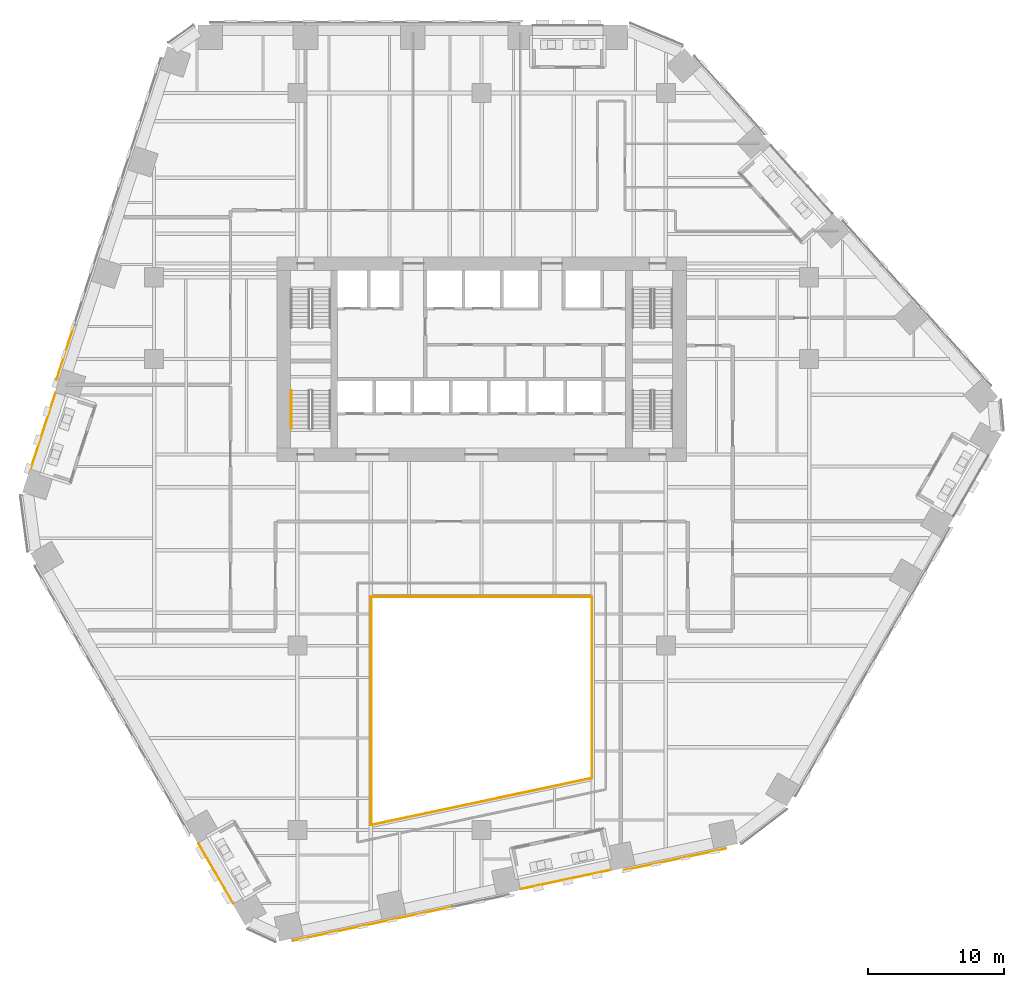
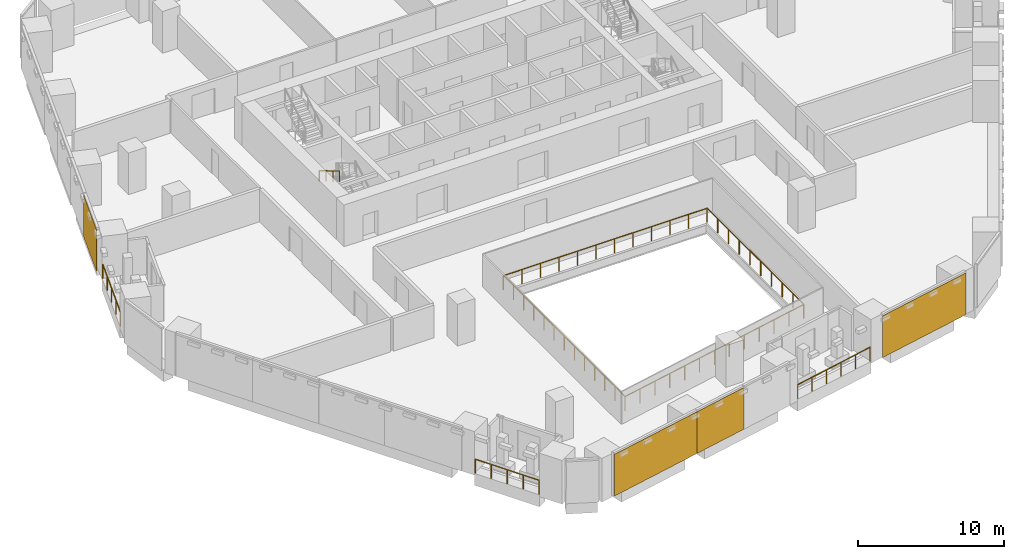
# One storey, part 27 of 31: 8 railings, 4 coverings, 2 elements without a shape of their own.
"""IFC4 building model written with IfcOpenShell, lengths in metres."""

from ifc_helpers import new_model, si_unit, direction, frame, origin, origin_2d, place, context, subcontext, project, spatial, rectangle, circle, extrude, material, layer, layer_set, type_object, element, aggregate, save


model = new_model("IFC4")

# Units and contexts
model_context = context("Model", 3, precision=1e-05, world=origin(), true_north=direction((0.0, 1.0)))
body_context = subcontext(model_context, "Body", "Model", "MODEL_VIEW")
ifc_project = project(units=[si_unit("LENGTHUNIT", "METRE"), si_unit("AREAUNIT", "SQUARE_METRE"), si_unit("VOLUMEUNIT", "CUBIC_METRE"), si_unit("PLANEANGLEUNIT", "RADIAN"), si_unit("MASSUNIT", "GRAM", prefix="KILO")], contexts=[model_context])

# Site, building, storey
site_placement = place(None, origin())
site = spatial("IfcSite", under=ifc_project, at=site_placement, CompositionType="ELEMENT")
building_placement = place(site_placement, origin())
building = spatial("IfcBuilding", under=site, at=building_placement, Name="Isthmus Gate Tower", CompositionType="ELEMENT")
storey_placement = place(building_placement, frame((0.0, 0.0, 39.64990234375)))
storey = spatial("IfcBuildingStorey", under=building, at=storey_placement, Name="L07", CompositionType="ELEMENT", Elevation=39.64990234375)

# Railings
ifc_material_1 = material(Name="Laminated toughened glass balustrade with steel rail", Category="steel")
railing_type_1 = type_object("IfcRailingType", Name="ATRIUM GUARD GLASS BALUSTRADE 1200", PredefinedType="GUARDRAIL", material=ifc_material_1)
railing_1_placement = place(storey_placement, frame((-8.080078125, -26.642822265625, 0.0)))
element("IfcRailing", 1, at=railing_1_placement, inside=storey, type_object=railing_type_1, Name="L07 atrium guard", PredefinedType="GUARDRAIL", context=body_context, shape_type="SweptSolid", body=[
    extrude(circle(Radius=0.02490234375, at=origin_2d()), frame((0.0, 0.0, 1.1748046875), z_axis=(0.0, 1.0, 0.0), x_axis=(-1.0, 0.0, 0.0)), (0.0, 0.0, 1.0), 16.722900390625),
    extrude(circle(Radius=0.02490234375, at=origin_2d()), origin(), (0.0, 0.0, 1.0), 1.14990234375),
    extrude(circle(Radius=0.02490234375, at=origin_2d()), frame((0.0, 1.3935546875, 0.0)), (0.0, 0.0, 1.0), 1.14990234375),
    extrude(circle(Radius=0.02490234375, at=origin_2d()), frame((0.0, 2.787109375, 0.0)), (0.0, 0.0, 1.0), 1.14990234375),
    extrude(circle(Radius=0.02490234375, at=origin_2d()), frame((0.0, 4.1806640625, 0.0)), (0.0, 0.0, 1.0), 1.14990234375),
    extrude(circle(Radius=0.02490234375, at=origin_2d()), frame((0.0, 5.57421875, 0.0)), (0.0, 0.0, 1.0), 1.14990234375),
    extrude(circle(Radius=0.02490234375, at=origin_2d()), frame((0.0, 6.9677734375, 0.0)), (0.0, 0.0, 1.0), 1.14990234375),
    extrude(circle(Radius=0.02490234375, at=origin_2d()), frame((0.0, 8.361328125, 0.0)), (0.0, 0.0, 1.0), 1.14990234375),
    extrude(circle(Radius=0.02490234375, at=origin_2d()), frame((0.0, 9.755126953125, 0.0)), (0.0, 0.0, 1.0), 1.14990234375),
    extrude(circle(Radius=0.02490234375, at=origin_2d()), frame((0.0, 11.148681640625, 0.0)), (0.0, 0.0, 1.0), 1.14990234375),
    extrude(circle(Radius=0.02490234375, at=origin_2d()), frame((0.0, 12.542236328125, 0.0)), (0.0, 0.0, 1.0), 1.14990234375),
    extrude(circle(Radius=0.02490234375, at=origin_2d()), frame((0.0, 13.935791015625, 0.0)), (0.0, 0.0, 1.0), 1.14990234375),
    extrude(circle(Radius=0.02490234375, at=origin_2d()), frame((0.0, 15.329345703125, 0.0)), (0.0, 0.0, 1.0), 1.14990234375),
    extrude(circle(Radius=0.02490234375, at=origin_2d()), frame((0.0, 16.722900390625, 0.0)), (0.0, 0.0, 1.0), 1.14990234375),
])
railing_2_placement = place(storey_placement, frame((-8.080078125, -9.919921875, 0.0)))
element("IfcRailing", 2, at=railing_2_placement, inside=storey, type_object=railing_type_1, Name="L07 atrium guard", PredefinedType="GUARDRAIL", context=body_context, shape_type="SweptSolid", body=[
    extrude(circle(Radius=0.02490234375, at=origin_2d()), frame((0.0, 0.0, 1.1748046875), z_axis=(1.0, 0.0, 0.0), x_axis=(0.0, 1.0, 0.0)), (0.0, 0.0, 1.0), 16.16015625),
    extrude(circle(Radius=0.02490234375, at=origin_2d()), origin(), (0.0, 0.0, 1.0), 1.14990234375),
    extrude(circle(Radius=0.02490234375, at=origin_2d()), frame((1.468994140625, 0.0, 0.0)), (0.0, 0.0, 1.0), 1.14990234375),
    extrude(circle(Radius=0.02490234375, at=origin_2d()), frame((2.938232421875, 0.0, 0.0)), (0.0, 0.0, 1.0), 1.14990234375),
    extrude(circle(Radius=0.02490234375, at=origin_2d()), frame((4.4072265625, 0.0, 0.0)), (0.0, 0.0, 1.0), 1.14990234375),
    extrude(circle(Radius=0.02490234375, at=origin_2d()), frame((5.87646484375, 0.0, 0.0)), (0.0, 0.0, 1.0), 1.14990234375),
    extrude(circle(Radius=0.02490234375, at=origin_2d()), frame((7.345458984375, 0.0, 0.0)), (0.0, 0.0, 1.0), 1.14990234375),
    extrude(circle(Radius=0.02490234375, at=origin_2d()), frame((8.814697265625, 0.0, 0.0)), (0.0, 0.0, 1.0), 1.14990234375),
    extrude(circle(Radius=0.02490234375, at=origin_2d()), frame((10.28369140625, 0.0, 0.0)), (0.0, 0.0, 1.0), 1.14990234375),
    extrude(circle(Radius=0.02490234375, at=origin_2d()), frame((11.7529296875, 0.0, 0.0)), (0.0, 0.0, 1.0), 1.14990234375),
    extrude(circle(Radius=0.02490234375, at=origin_2d()), frame((13.221923828125, 0.0, 0.0)), (0.0, 0.0, 1.0), 1.14990234375),
    extrude(circle(Radius=0.02490234375, at=origin_2d()), frame((14.691162109375, 0.0, 0.0)), (0.0, 0.0, 1.0), 1.14990234375),
    extrude(circle(Radius=0.02490234375, at=origin_2d()), frame((16.16015625, 0.0, 0.0)), (0.0, 0.0, 1.0), 1.14990234375),
])
railing_3_placement = place(storey_placement, frame((8.080078125, -9.919921875, 0.0)))
element("IfcRailing", 3, at=railing_3_placement, inside=storey, type_object=railing_type_1, Name="L07 atrium guard", PredefinedType="GUARDRAIL", context=body_context, shape_type="SweptSolid", body=[
    extrude(circle(Radius=0.02490234375, at=origin_2d()), frame((0.0, 0.0, 1.1748046875), z_axis=(0.0, -1.0, 0.0), x_axis=(1.0, 0.0, 0.0)), (0.0, 0.0, 1.0), 13.2880859375),
    extrude(circle(Radius=0.02490234375, at=origin_2d()), origin(), (0.0, 0.0, 1.0), 1.14990234375),
    extrude(circle(Radius=0.02490234375, at=origin_2d()), frame((0.0, -1.4765625, 0.0)), (0.0, 0.0, 1.0), 1.14990234375),
    extrude(circle(Radius=0.02490234375, at=origin_2d()), frame((0.0, -2.952880859375, 0.0)), (0.0, 0.0, 1.0), 1.14990234375),
    extrude(circle(Radius=0.02490234375, at=origin_2d()), frame((0.0, -4.429443359375, 0.0)), (0.0, 0.0, 1.0), 1.14990234375),
    extrude(circle(Radius=0.02490234375, at=origin_2d()), frame((0.0, -5.90576171875, 0.0)), (0.0, 0.0, 1.0), 1.14990234375),
    extrude(circle(Radius=0.02490234375, at=origin_2d()), frame((0.0, -7.38232421875, 0.0)), (0.0, 0.0, 1.0), 1.14990234375),
    extrude(circle(Radius=0.02490234375, at=origin_2d()), frame((0.0, -8.858642578125, 0.0)), (0.0, 0.0, 1.0), 1.14990234375),
    extrude(circle(Radius=0.02490234375, at=origin_2d()), frame((0.0, -10.335205078125, 0.0)), (0.0, 0.0, 1.0), 1.14990234375),
    extrude(circle(Radius=0.02490234375, at=origin_2d()), frame((0.0, -11.8115234375, 0.0)), (0.0, 0.0, 1.0), 1.14990234375),
    extrude(circle(Radius=0.02490234375, at=origin_2d()), frame((0.0, -13.2880859375, 0.0)), (0.0, 0.0, 1.0), 1.14990234375),
])
railing_4_placement = place(storey_placement, frame((8.080078125, -23.2080078125, 0.0)))
element("IfcRailing", 4, at=railing_4_placement, inside=storey, type_object=railing_type_1, Name="L07 atrium guard", PredefinedType="GUARDRAIL", context=body_context, shape_type="SweptSolid", body=[
    extrude(circle(Radius=0.02490234375, at=origin_2d()), frame((0.0, 0.0, 1.1748046875), z_axis=(-0.978149235358, -0.207904000366, 0.0), x_axis=(0.207904000366, -0.978149235358, 0.0)), (0.0, 0.0, 1.0), 16.521240234375),
    extrude(circle(Radius=0.02490234375, at=origin_2d()), origin(), (0.0, 0.0, 1.0), 1.14990234375),
    extrude(circle(Radius=0.02490234375, at=origin_2d()), frame((-1.3466796875, -0.2861328125, 0.0)), (0.0, 0.0, 1.0), 1.14990234375),
    extrude(circle(Radius=0.02490234375, at=origin_2d()), frame((-2.693359375, -0.572509765625, 0.0)), (0.0, 0.0, 1.0), 1.14990234375),
    extrude(circle(Radius=0.02490234375, at=origin_2d()), frame((-4.0400390625, -0.858642578125, 0.0)), (0.0, 0.0, 1.0), 1.14990234375),
    extrude(circle(Radius=0.02490234375, at=origin_2d()), frame((-5.38671875, -1.14501953125, 0.0)), (0.0, 0.0, 1.0), 1.14990234375),
    extrude(circle(Radius=0.02490234375, at=origin_2d()), frame((-6.7333984375, -1.43115234375, 0.0)), (0.0, 0.0, 1.0), 1.14990234375),
    extrude(circle(Radius=0.02490234375, at=origin_2d()), frame((-8.080078125, -1.71728515625, 0.0)), (0.0, 0.0, 1.0), 1.14990234375),
    extrude(circle(Radius=0.02490234375, at=origin_2d()), frame((-9.4267578125, -2.003662109375, 0.0)), (0.0, 0.0, 1.0), 1.14990234375),
    extrude(circle(Radius=0.02490234375, at=origin_2d()), frame((-10.7734375, -2.289794921875, 0.0)), (0.0, 0.0, 1.0), 1.14990234375),
    extrude(circle(Radius=0.02490234375, at=origin_2d()), frame((-12.1201171875, -2.576171875, 0.0)), (0.0, 0.0, 1.0), 1.14990234375),
    extrude(circle(Radius=0.02490234375, at=origin_2d()), frame((-13.466796875, -2.8623046875, 0.0)), (0.0, 0.0, 1.0), 1.14990234375),
    extrude(circle(Radius=0.02490234375, at=origin_2d()), frame((-14.8134765625, -3.148681640625, 0.0)), (0.0, 0.0, 1.0), 1.14990234375),
    extrude(circle(Radius=0.02490234375, at=origin_2d()), frame((-16.16015625, -3.434814453125, 0.0)), (0.0, 0.0, 1.0), 1.14990234375),
])

# Curtain wall, covering
ifc_material_2 = material(Name="Aluminium, pale champagne anodised", Category="aluminium")
ifc_layer_1 = layer(ifc_material_2, 0.199951171875)
ifc_layer_set_1 = layer_set([ifc_layer_1], Name="CW-1 UNITISED CURTAIN WALL 200 DEEP")
curtain_wall_type = type_object("IfcCurtainWallType", Name="CW-1 UNITISED CURTAIN WALL 200 DEEP", PredefinedType="NOTDEFINED", material=ifc_layer_set_1)
curtain_wall_1_placement = place(storey_placement, origin())
curtain_wall_1 = element("IfcCurtainWall", 5, at=curtain_wall_1_placement, inside=storey, type_object=curtain_wall_type, Name="CW-1 NW L07", PredefinedType="NOTDEFINED")
ifc_material_3 = material(Name="Aluminium composite panel, pale champagne anodised", Category="aluminium")
ifc_layer_2 = layer(ifc_material_3, 0.0400390625)
ifc_layer_set_2 = layer_set([ifc_layer_2], Name="CW-1 PALE METAL PANEL 40")
covering_type = type_object("IfcCoveringType", Name="CW-1 PALE METAL PANEL 40", PredefinedType="CLADDING", material=ifc_layer_set_2)
covering_1_placement = place(storey_placement, frame((-30.5087890625, 7.9775390625, 0.0), z_axis=(0.0, 0.0, 1.0), x_axis=(-0.309016994375, -0.951056516295, 0.0)))
covering_1 = element("IfcCovering", 6, at=covering_1_placement, type_object=covering_type, Name="CW-1 pale metal panel", PredefinedType="CLADDING", context=body_context, shape_type="SweptSolid", body=[
    extrude(rectangle(XDim=4.234619140625, YDim=0.0400390625, at=origin_2d()), origin(), (0.0, 0.0, 1.0), 3.5),
])
aggregate(curtain_wall_1, [covering_1])

# Curtain wall, coverings
curtain_wall_2_placement = place(storey_placement, origin())
curtain_wall_2 = element("IfcCurtainWall", 7, at=curtain_wall_2_placement, inside=storey, type_object=curtain_wall_type, Name="CW-1 S L07", PredefinedType="NOTDEFINED")
covering_2_placement = place(storey_placement, frame((-10.117919921875, -34.334716796875, 0.0), z_axis=(0.0, 0.0, 1.0), x_axis=(0.978147600734, 0.207911690818, 0.0)))
covering_2 = element("IfcCovering", 8, at=covering_2_placement, type_object=covering_type, Name="CW-1 pale metal panel", PredefinedType="CLADDING", context=body_context, shape_type="SweptSolid", body=[
    extrude(rectangle(XDim=7.62939453125, YDim=0.0400390625, at=origin_2d()), origin(), (0.0, 0.0, 1.0), 3.5),
])
covering_3_placement = place(storey_placement, frame((-4.2861328125, -33.094970703125, 0.0), z_axis=(0.0, 0.0, 1.0), x_axis=(0.978147600734, 0.207911690818, 0.0)))
covering_3 = element("IfcCovering", 9, at=covering_3_placement, type_object=covering_type, Name="CW-1 pale metal panel", PredefinedType="CLADDING", context=body_context, shape_type="SweptSolid", body=[
    extrude(rectangle(XDim=4.294677734375, YDim=0.0400390625, at=origin_2d()), origin(), (0.0, 0.0, 1.0), 3.5),
])
covering_4_placement = place(storey_placement, frame((14.177490234375, -29.17041015625, 0.0), z_axis=(0.0, 0.0, 1.0), x_axis=(0.978147600734, 0.207911690818, 0.0)))
covering_4 = element("IfcCovering", 10, at=covering_4_placement, type_object=covering_type, Name="CW-1 pale metal panel", PredefinedType="CLADDING", context=body_context, shape_type="SweptSolid", body=[
    extrude(rectangle(XDim=7.689453125, YDim=0.0400390625, at=origin_2d()), origin(), (0.0, 0.0, 1.0), 3.5),
])
aggregate(curtain_wall_2, [covering_2, covering_3, covering_4])

# Railings
ifc_material_4 = material(Name="Toughened laminated glass with stainless steel posts", Category="steel")
railing_type_2 = type_object("IfcRailingType", Name="GUARD 1200 FRAMELESS GLASS", PredefinedType="GUARDRAIL", material=ifc_material_4)
railing_5_placement = place(storey_placement, frame((-31.23486328125, 4.99853515625, 0.0)))
element("IfcRailing", 11, at=railing_5_placement, inside=storey, type_object=railing_type_2, Name="LOGGIA GUARD", PredefinedType="GUARDRAIL", context=body_context, shape_type="SweptSolid", body=[
    extrude(circle(Radius=0.02490234375, at=origin_2d()), frame((0.0, 0.0, 1.1748046875), z_axis=(-0.309019551681, -0.951055685372, 0.0), x_axis=(0.951055685372, -0.309019551681, 0.0)), (0.0, 0.0, 1.0), 5.809326171875),
    extrude(circle(Radius=0.02490234375, at=origin_2d()), origin(), (0.0, 0.0, 1.0), 1.14990234375),
    extrude(circle(Radius=0.02490234375, at=origin_2d()), frame((-0.44873046875, -1.38134765625, 0.0)), (0.0, 0.0, 1.0), 1.14990234375),
    extrude(circle(Radius=0.02490234375, at=origin_2d()), frame((-0.8974609375, -2.762451171875, 0.0)), (0.0, 0.0, 1.0), 1.14990234375),
    extrude(circle(Radius=0.02490234375, at=origin_2d()), frame((-1.346435546875, -4.1435546875, 0.0)), (0.0, 0.0, 1.0), 1.14990234375),
    extrude(circle(Radius=0.02490234375, at=origin_2d()), frame((-1.795166015625, -5.52490234375, 0.0)), (0.0, 0.0, 1.0), 1.14990234375),
])
railing_6_placement = place(storey_placement, frame((-20.733154296875, -27.989013671875, 0.0)))
element("IfcRailing", 12, at=railing_6_placement, inside=storey, type_object=railing_type_2, Name="LOGGIA GUARD", PredefinedType="GUARDRAIL", context=body_context, shape_type="SweptSolid", body=[
    extrude(circle(Radius=0.02490234375, at=origin_2d()), frame((0.0, 0.0, 1.1748046875), z_axis=(0.499986781806, -0.866033035178, 0.0), x_axis=(0.866033035178, 0.499986781806, 0.0)), (0.0, 0.0, 1.0), 5.063720703125),
    extrude(circle(Radius=0.02490234375, at=origin_2d()), origin(), (0.0, 0.0, 1.0), 1.14990234375),
    extrude(circle(Radius=0.02490234375, at=origin_2d()), frame((0.6328125, -1.09619140625, 0.0)), (0.0, 0.0, 1.0), 1.14990234375),
    extrude(circle(Radius=0.02490234375, at=origin_2d()), frame((1.265869140625, -2.192626953125, 0.0)), (0.0, 0.0, 1.0), 1.14990234375),
    extrude(circle(Radius=0.02490234375, at=origin_2d()), frame((1.89892578125, -3.2890625, 0.0)), (0.0, 0.0, 1.0), 1.14990234375),
    extrude(circle(Radius=0.02490234375, at=origin_2d()), frame((2.53173828125, -4.38525390625, 0.0)), (0.0, 0.0, 1.0), 1.14990234375),
])
railing_7_placement = place(storey_placement, frame((2.88671875, -31.335205078125, 0.0)))
element("IfcRailing", 13, at=railing_7_placement, inside=storey, type_object=railing_type_2, Name="LOGGIA GUARD", PredefinedType="GUARDRAIL", context=body_context, shape_type="SweptSolid", body=[
    extrude(circle(Radius=0.02490234375, at=origin_2d()), frame((0.0, 0.0, 1.1748046875), z_axis=(0.978153024276, 0.20788617342, 0.0), x_axis=(-0.20788617342, 0.978153024276, 0.0)), (0.0, 0.0, 1.0), 6.709228515625),
    extrude(circle(Radius=0.02490234375, at=origin_2d()), origin(), (0.0, 0.0, 1.0), 1.14990234375),
    extrude(circle(Radius=0.02490234375, at=origin_2d()), frame((1.3125, 0.279052734375, 0.0)), (0.0, 0.0, 1.0), 1.14990234375),
    extrude(circle(Radius=0.02490234375, at=origin_2d()), frame((2.625, 0.557861328125, 0.0)), (0.0, 0.0, 1.0), 1.14990234375),
    extrude(circle(Radius=0.02490234375, at=origin_2d()), frame((3.937744140625, 0.8369140625, 0.0)), (0.0, 0.0, 1.0), 1.14990234375),
    extrude(circle(Radius=0.02490234375, at=origin_2d()), frame((5.250244140625, 1.11572265625, 0.0)), (0.0, 0.0, 1.0), 1.14990234375),
    extrude(circle(Radius=0.02490234375, at=origin_2d()), frame((6.562744140625, 1.394775390625, 0.0)), (0.0, 0.0, 1.0), 1.14990234375),
])
ifc_material_5 = material(Name="Stainless steel handrail", Category="steel")
railing_type_3 = type_object("IfcRailingType", Name="STAIR HANDRAIL 900", PredefinedType="HANDRAIL", material=ifc_material_5)
railing_8_placement = place(storey_placement, frame((-13.949951171875, 5.199951171875, 1.990966796875)))
element("IfcRailing", 14, at=railing_8_placement, inside=storey, type_object=railing_type_3, Name="L07 ST7 stair handrail 2", PredefinedType="HANDRAIL", context=body_context, shape_type="SweptSolid", body=[
    extrude(circle(Radius=0.02392578125, at=origin_2d()), frame((0.0, 0.0, 0.8759765625), z_axis=(0.0, -0.860306154799, 0.50977771628), x_axis=(1.0, 0.0, 0.0)), (0.0, 0.0, 1.0), 3.254638671875),
    extrude(circle(Radius=0.02099609375, at=origin_2d()), origin(), (0.0, 0.0, 1.0), 0.851806640625),
    extrude(circle(Radius=0.02099609375, at=origin_2d()), frame((0.0, -0.933349609375, 0.552978515625)), (0.0, 0.0, 1.0), 0.851806640625),
    extrude(circle(Radius=0.02099609375, at=origin_2d()), frame((0.0, -1.86669921875, 1.106201171875)), (0.0, 0.0, 1.0), 0.851806640625),
    extrude(circle(Radius=0.02099609375, at=origin_2d()), frame((0.0, -2.800048828125, 1.6591796875)), (0.0, 0.0, 1.0), 0.851806640625),
])

save(model, "model.ifc")
